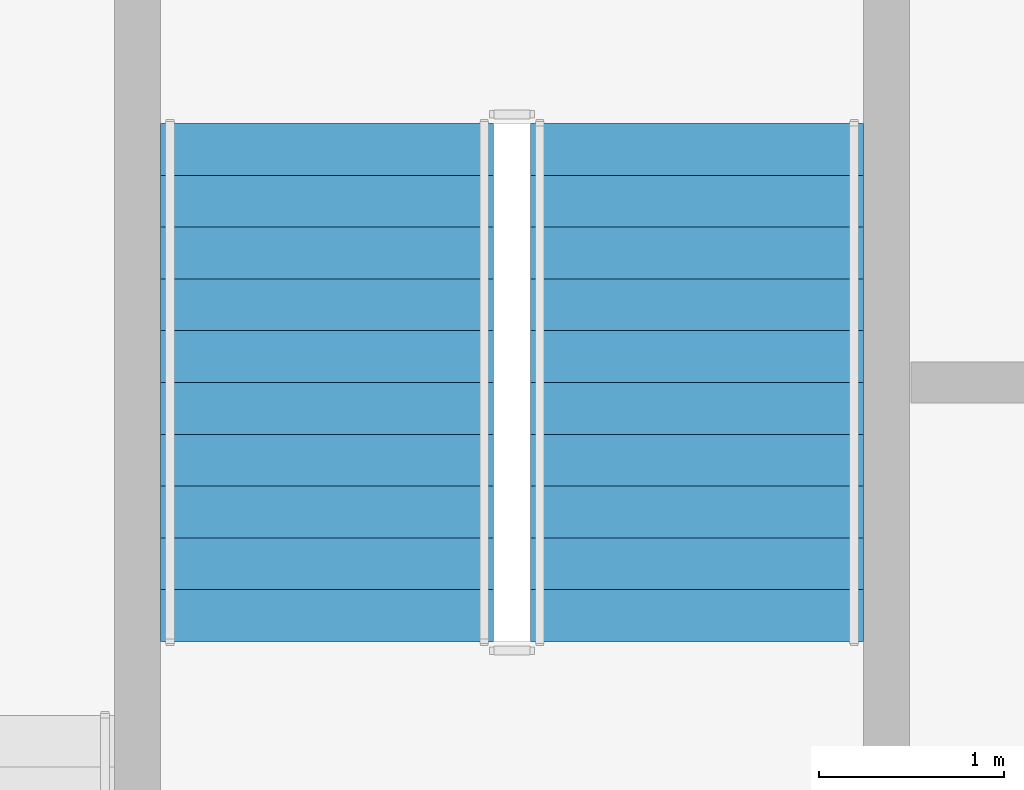
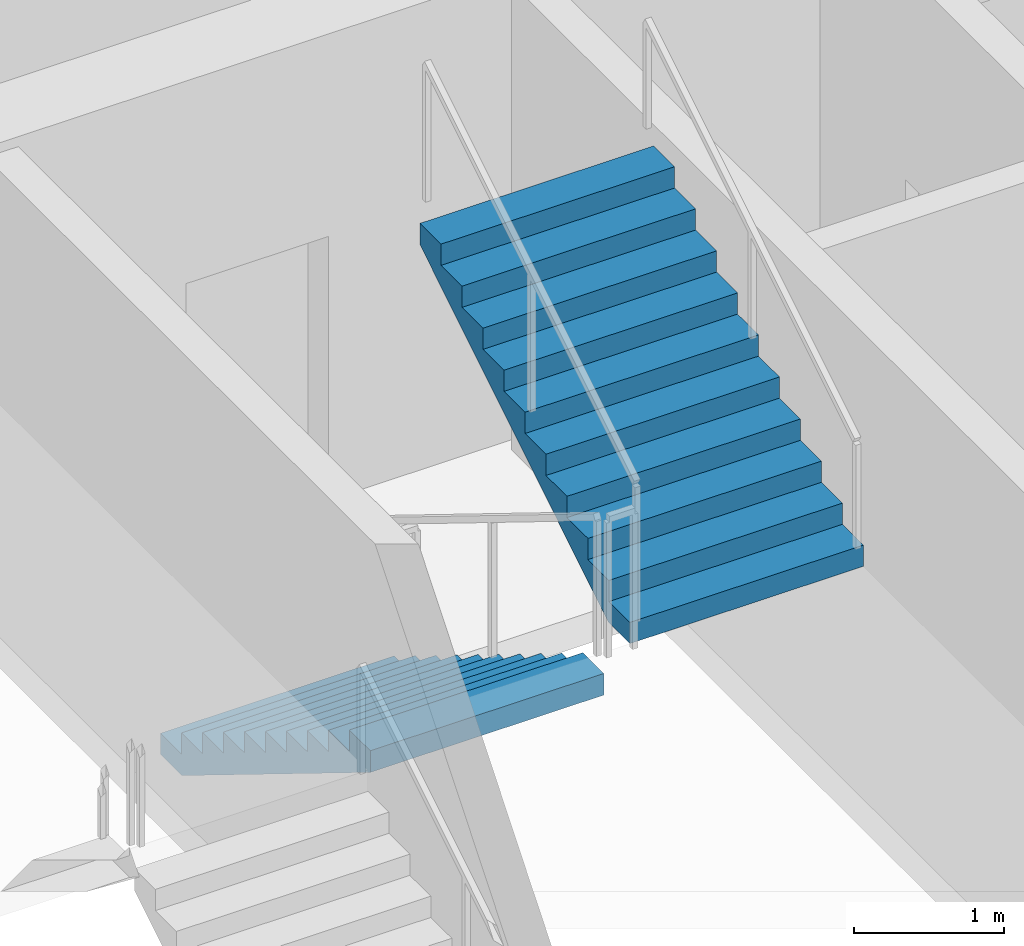
# One storey, part 25 of 28: 2 stair flights, 1 element without a shape of its own.
"""IFC4 building model written with IfcOpenShell, lengths in metres."""

import ifcopenshell
import ifcopenshell.guid

model = None  # the IFC model being written
_history = None  # IfcOwnerHistory: only IFC2X3 demands one
_inside = {}  # id of a spatial element -> (the spatial element, [elements in it])
_under = {}  # id of a project, library or spatial element -> (it, [spatial elements below it])
_declared = {}  # id of a project -> (the project, [libraries it declares])
_typed = {}  # id of a type object -> (the type object, [elements of that type])
_made_of = {}  # id of a material, layer set ... -> (it, [elements and type objects made of it])


def new_model(schema):
    """Start an empty IFC model of exactly this schema.

    Asked for "IFC4X3", IfcOpenShell would pick the latest addendum, in which some entities
    have other attributes; the version numbers below select the first issue.
    IFC2X3 requires an IfcOwnerHistory on every rooted entity: one is made here for all.
    """
    global model, _history
    if schema == "IFC4X3":
        model = ifcopenshell.file(schema_version=(4, 3, 0, 0))
    else:
        model = ifcopenshell.file(schema=schema)
    _inside.clear()
    _under.clear()
    _declared.clear()
    _typed.clear()
    _made_of.clear()
    _history = None
    if model.schema == "IFC2X3":
        org = make("IfcOrganization", Name="unknown")
        user = make(
            "IfcPersonAndOrganization",
            ThePerson=make("IfcPerson", FamilyName="unknown"),
            TheOrganization=org,
        )
        app = make(
            "IfcApplication",
            ApplicationDeveloper=org,
            Version="unknown",
            ApplicationFullName="unknown",
            ApplicationIdentifier="unknown",
        )
        _history = make(
            "IfcOwnerHistory",
            OwningUser=user,
            OwningApplication=app,
            ChangeAction="ADDED",
            CreationDate=0,
        )
    return model


def make(cls, **values):
    """One entity of the class cls with the attributes given. An attribute that is None is left unset."""
    return model.create_entity(
        cls, **{name: value for name, value in values.items() if value is not None}
    )


def rooted(cls, **values):
    """An entity with a GlobalId (a new one), such as an element, a storey or a relation."""
    return make(cls, GlobalId=ifcopenshell.guid.new(), OwnerHistory=_history, **values)


def si_unit(unit_type, name, prefix=None):
    """IfcSIUnit, for example si_unit("LENGTHUNIT", "METRE", prefix="MILLI")."""
    return make("IfcSIUnit", UnitType=unit_type, Prefix=prefix, Name=name)


def assignment(units):
    """IfcUnitAssignment: the units of a project."""
    return None if units is None else make("IfcUnitAssignment", Units=units)


def point(xyz):
    """IfcCartesianPoint."""
    return None if xyz is None else make("IfcCartesianPoint", Coordinates=xyz)


def direction(xyz):
    """IfcDirection."""
    return None if xyz is None else make("IfcDirection", DirectionRatios=xyz)


def frame(location, z_axis=None, x_axis=None):
    """IfcAxis2Placement3D, a coordinate frame: its origin and axes. An axis left out is left unset."""
    return make(
        "IfcAxis2Placement3D",
        Location=point(location),
        Axis=direction(z_axis),
        RefDirection=direction(x_axis),
    )


def origin():
    """The frame at (0, 0, 0) with its axes left unset."""
    return frame((0.0, 0.0, 0.0))


def place(relative_to, where):
    """IfcLocalPlacement: puts the frame where relative to a parent placement (None: the world)."""
    return make(
        "IfcLocalPlacement", PlacementRelTo=relative_to, RelativePlacement=where
    )


def context(
    kind, dimensions, precision=None, world=None, true_north=None, identifier=None
):
    """IfcGeometricRepresentationContext, for example the 3D "Model" context."""
    return make(
        "IfcGeometricRepresentationContext",
        ContextIdentifier=identifier,
        ContextType=kind,
        CoordinateSpaceDimension=dimensions,
        Precision=precision,
        WorldCoordinateSystem=world,
        TrueNorth=true_north,
    )


def subcontext(parent, identifier, kind, view, scale=None):
    """IfcGeometricRepresentationSubContext, for example "Body" below "Model"."""
    return make(
        "IfcGeometricRepresentationSubContext",
        ContextIdentifier=identifier,
        ContextType=kind,
        ParentContext=parent,
        TargetScale=scale,
        TargetView=view,
    )


def project(units=None, contexts=None):
    """IfcProject with its units and contexts."""
    return rooted(
        "IfcProject",
        Name="project",
        RepresentationContexts=contexts,
        UnitsInContext=assignment(units),
    )


def spatial(cls, under=None, at=None, **own):
    """A site, building, storey or space (cls), placed at a placement, below another one or the project."""
    s = rooted(cls, ObjectPlacement=at, **own)
    if under is not None:
        _under.setdefault(under.id(), (under, []))[1].append(s)
    return s


def polyline(points):
    """IfcPolyline through the points."""
    return make("IfcPolyline", Points=[point(p) for p in points])


def outline(outer, holes=None, kind="AREA"):
    """IfcArbitraryClosedProfileDef: a profile drawn as a closed curve; with holes, ...WithVoids."""
    if holes is None:
        return make("IfcArbitraryClosedProfileDef", ProfileType=kind, OuterCurve=outer)
    return make(
        "IfcArbitraryProfileDefWithVoids",
        ProfileType=kind,
        OuterCurve=outer,
        InnerCurves=holes,
    )


def extrude(swept, where, along, depth):
    """IfcExtrudedAreaSolid: the profile swept, set in the frame where, extruded along a direction by depth."""
    return make(
        "IfcExtrudedAreaSolid",
        SweptArea=swept,
        Position=where,
        ExtrudedDirection=direction(along),
        Depth=depth,
    )


def shape(context_of_items, identifier, shape_type, items):
    """IfcShapeRepresentation: the items that make up one representation, for example the "Body"."""
    return make(
        "IfcShapeRepresentation",
        ContextOfItems=context_of_items,
        RepresentationIdentifier=identifier,
        RepresentationType=shape_type,
        Items=items,
    )


def material(Name=None, Category=None):
    """IfcMaterial."""
    return make("IfcMaterial", Name=Name, Category=Category)


def made_of(thing, what):
    """Note that an element or type object is made of a material, layer set ...; save() writes the relation."""
    if what is not None:
        _made_of.setdefault(what.id(), (what, []))[1].append(thing)
    return thing


def type_object(cls, material=None, **own):
    """A type object (cls), such as IfcWallType, which elements share."""
    return made_of(rooted(cls, **own), material)


def element(
    cls,
    number,
    at=None,
    inside=None,
    cuts=None,
    type_object=None,
    material=None,
    context=None,
    identifier="Body",
    shape_type=None,
    held_by="IfcProductDefinitionShape",
    body=None,
    shapes=None,
    **own,
):
    """One element of the class cls, such as IfcWall. Its Tag is "e" and its number.

    at: its placement. inside: the storey or other place that contains it. cuts: it is an
    opening in that element (IfcRelVoidsElement). A single representation is given by context,
    identifier, shape_type and body (its items); several are given by shapes. held_by: the class
    of the entity that holds the representations. save() writes the other relations.
    """
    e = rooted(cls, Tag="e%d" % number, ObjectPlacement=at, **own)
    if body is not None:
        shapes = [shape(context, identifier, shape_type, body)]
    if shapes is not None:
        e.Representation = make(held_by, Representations=shapes)
    if inside is not None:
        _inside.setdefault(inside.id(), (inside, []))[1].append(e)
    if cuts is not None:
        rooted(
            "IfcRelVoidsElement", RelatingBuildingElement=cuts, RelatedOpeningElement=e
        )
    if type_object is not None:
        _typed.setdefault(type_object.id(), (type_object, []))[1].append(e)
    return made_of(e, material)


def aggregate(whole, parts):
    """IfcRelAggregates: a whole, such as a stair, and the parts it consists of."""
    return rooted("IfcRelAggregates", RelatingObject=whole, RelatedObjects=parts)


def save(model, path):
    """Write the relations noted so far, then the file.

    IfcRelAggregates (storeys below a building ...), IfcRelContainedInSpatialStructure (elements
    in a storey), IfcRelDefinesByType, IfcRelAssociatesMaterial and IfcRelDeclares: one each for
    every whole, place, type object, material and project.
    """
    for whole, parts in _under.values():
        aggregate(whole, parts)
    for where, things in _inside.values():
        rooted(
            "IfcRelContainedInSpatialStructure",
            RelatedElements=things,
            RelatingStructure=where,
        )
    for kind, things in _typed.values():
        rooted("IfcRelDefinesByType", RelatedObjects=things, RelatingType=kind)
    for what, things in _made_of.values():
        rooted("IfcRelAssociatesMaterial", RelatedObjects=things, RelatingMaterial=what)
    for by, libraries in _declared.values():
        rooted("IfcRelDeclares", RelatingContext=by, RelatedDefinitions=libraries)
    model.write(path)


model = new_model("IFC4")

# Units and contexts
model_context = context("Model", 3, precision=1e-05, world=origin(), true_north=direction((0.0, 1.0)))
body_context = subcontext(model_context, "Body", "Model", "MODEL_VIEW")
ifc_project = project(units=[si_unit("LENGTHUNIT", "METRE"), si_unit("AREAUNIT", "SQUARE_METRE"), si_unit("VOLUMEUNIT", "CUBIC_METRE"), si_unit("PLANEANGLEUNIT", "RADIAN"), si_unit("MASSUNIT", "GRAM", prefix="KILO")], contexts=[model_context])

# Site, building, storey
site_placement = place(None, origin())
site = spatial("IfcSite", under=ifc_project, at=site_placement, CompositionType="ELEMENT")
building_placement = place(site_placement, origin())
building = spatial("IfcBuilding", under=site, at=building_placement, Name="Zuhravey Tower", CompositionType="ELEMENT")
storey_placement = place(building_placement, frame((0.0, 0.0, 254.0)))
storey = spatial("IfcBuildingStorey", under=building, at=storey_placement, Name="L64", CompositionType="ELEMENT", Elevation=254.0)

# Stair, stair flights
ifc_material = material(Name="Concrete C40/50", Category="concrete")
stair_type = type_object("IfcStairType", Name="Housing Storey Stair Assembly 3800", PredefinedType="HALF_TURN_STAIR", material=ifc_material)
stair_placement = place(storey_placement, origin())
stair = element("IfcStair", 1, at=stair_placement, inside=storey, type_object=stair_type, Name="L64 Core Exit Stair ST3", PredefinedType="HALF_TURN_STAIR")
stair_flight_type = type_object("IfcStairFlightType", Name="Housing Storey Stair Flight 3800", PredefinedType="STRAIGHT", material=ifc_material)
stair_flight_1_placement = place(storey_placement, frame((30.949951171875, 39.199951171875, 0.0), z_axis=(0.0, 0.0, 1.0), x_axis=(0.0, -1.0, 0.0)))
stair_flight_1 = element("IfcStairFlight", 2, at=stair_flight_1_placement, type_object=stair_flight_type, Name="ST3 flight 1", NumberOfRisers=11, NumberOfTreads=10, PredefinedType="STRAIGHT", RiserHeight=0.172727273, TreadLength=0.28, context=body_context, shape_type="SweptSolid", body=[
    extrude(outline(polyline([(0.0, 0.0), (0.0, 0.172607421875), (0.280029296875, 0.172607421875), (0.280029296875, 0.345458984375), (0.56005859375, 0.345458984375), (0.56005859375, 0.51806640625), (0.840087890625, 0.51806640625), (0.840087890625, 0.69091796875), (1.1201171875, 0.69091796875), (1.1201171875, 0.863525390625), (1.39990234375, 0.863525390625), (1.39990234375, 1.036376953125), (1.679931640625, 1.036376953125), (1.679931640625, 1.208984375), (1.9599609375, 1.208984375), (1.9599609375, 1.3818359375), (2.239990234375, 1.3818359375), (2.239990234375, 1.554443359375), (2.52001953125, 1.554443359375), (2.52001953125, 1.727294921875), (2.800048828125, 1.727294921875), (2.800048828125, 1.89990234375), (2.800048828125, 1.551025390625), (0.285400390625, 0.0), (0.0, 0.0)])), frame((0.0, 0.89990234375, 0.0), z_axis=(0.0, -1.0, 0.0), x_axis=(1.0, 0.0, 0.0)), (0.0, 0.0, 1.0), 1.800048828125),
])
stair_flight_2_placement = place(storey_placement, frame((32.949951171875, 36.39990234375, 1.89990234375), z_axis=(0.0, 0.0, 1.0), x_axis=(0.0, 1.0, 0.0)))
stair_flight_2 = element("IfcStairFlight", 3, at=stair_flight_2_placement, type_object=stair_flight_type, Name="ST3 flight 2", NumberOfRisers=11, NumberOfTreads=10, PredefinedType="STRAIGHT", RiserHeight=0.172727273, TreadLength=0.28, context=body_context, shape_type="SweptSolid", body=[
    extrude(outline(polyline([(0.0, 0.0), (0.0, 0.172607421875), (0.280029296875, 0.172607421875), (0.280029296875, 0.345458984375), (0.56005859375, 0.345458984375), (0.56005859375, 0.51806640625), (0.840087890625, 0.51806640625), (0.840087890625, 0.69091796875), (1.1201171875, 0.69091796875), (1.1201171875, 0.863525390625), (1.39990234375, 0.863525390625), (1.39990234375, 1.036376953125), (1.679931640625, 1.036376953125), (1.679931640625, 1.208984375), (1.9599609375, 1.208984375), (1.9599609375, 1.3818359375), (2.239990234375, 1.3818359375), (2.239990234375, 1.554443359375), (2.52001953125, 1.554443359375), (2.52001953125, 1.727294921875), (2.800048828125, 1.727294921875), (2.800048828125, 1.89990234375), (2.800048828125, 1.551025390625), (0.285400390625, 0.0), (0.0, 0.0)])), frame((0.0, 0.89990234375, 0.0), z_axis=(0.0, -1.0, 0.0), x_axis=(1.0, 0.0, 0.0)), (0.0, 0.0, 1.0), 1.800048828125),
])
aggregate(stair, [stair_flight_1, stair_flight_2])

save(model, "model.ifc")
